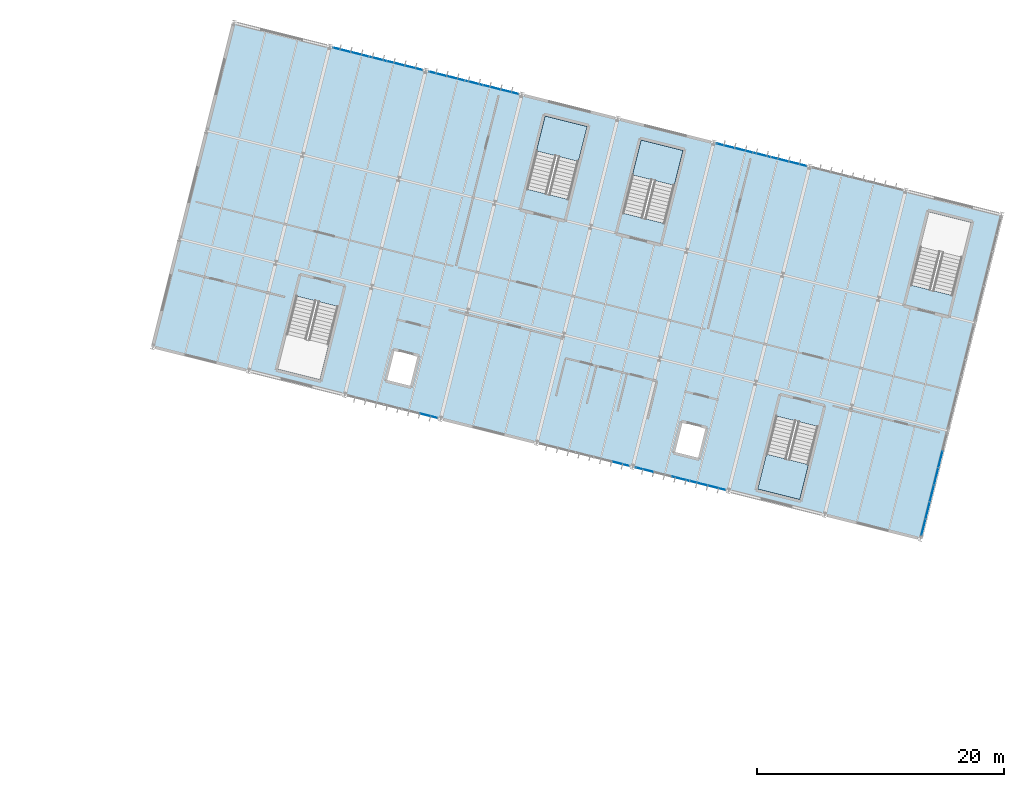
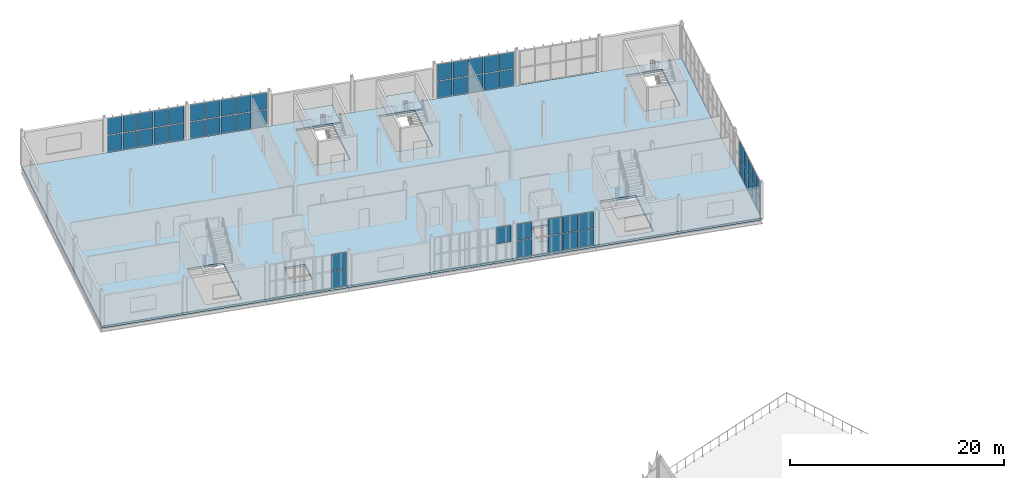
# One storey, part 42 of 61: 51 plates, 4 slabs, 10 elements without a shape of their own.
"""IFC4 building model written with IfcOpenShell, lengths in metres."""

from ifc_helpers import new_model, si_unit, derived_unit, direction, frame, origin, origin_2d, place, context, subcontext, project, spatial, polyline, rectangle, outline, extrude, material, layer, layer_set, type_object, element, aggregate, save


model = new_model("IFC4")

# Units and contexts
model_context = context("Model", 3, precision=1e-05, world=origin(), true_north=direction((0.0, 1.0)))
body_context = subcontext(model_context, "Body", "Model", "MODEL_VIEW")
ifc_project = project(units=[si_unit("LENGTHUNIT", "METRE"), si_unit("AREAUNIT", "SQUARE_METRE"), si_unit("VOLUMEUNIT", "CUBIC_METRE"), si_unit("PLANEANGLEUNIT", "RADIAN"), si_unit("MASSUNIT", "GRAM", prefix="KILO"), si_unit("THERMODYNAMICTEMPERATUREUNIT", "KELVIN"), si_unit("TIMEUNIT", "SECOND"), derived_unit("THERMALTRANSMITTANCEUNIT", [(si_unit("MASSUNIT", "GRAM", prefix="KILO"), 1), (si_unit("THERMODYNAMICTEMPERATUREUNIT", "KELVIN"), -1), (si_unit("TIMEUNIT", "SECOND"), -3)])], contexts=[model_context])

# Site, building, storey
site_placement = place(None, origin())
site = spatial("IfcSite", under=ifc_project, at=site_placement, CompositionType="ELEMENT")
building_placement = place(site_placement, origin())
building = spatial("IfcBuilding", under=site, at=building_placement, Name="Cambertide Market Hall", CompositionType="ELEMENT")
storey_placement = place(building_placement, frame((0.0, 0.0, 9.89990234375)))
storey = spatial("IfcBuildingStorey", under=building, at=storey_placement, Name="L03", CompositionType="ELEMENT", Elevation=9.89990234375)

# Stair, slab
ifc_material_1 = material(Name="Concrete B35", Category="concrete")
stair_type_1 = type_object("IfcStairType", Name="Concrete Dogleg Stair ST-07B", PredefinedType="HALF_TURN_STAIR", material=ifc_material_1)
stair_1_placement = place(storey_placement, origin())
stair_1 = element("IfcStair", 1, at=stair_1_placement, inside=storey, type_object=stair_type_1, Name="Level 3 Exit Stair Core 07B", PredefinedType="HALF_TURN_STAIR")
ifc_material_2 = material(Name="Concrete B35", Category="concrete")
ifc_layer_1 = layer(ifc_material_2, 0.199951171875, Name="Concrete Stair Half-Landing 200")
ifc_layer_set_1 = layer_set([ifc_layer_1], Name="Concrete B35")
slab_type_1 = type_object("IfcSlabType", Name="Concrete Stair Half-Landing 200", PredefinedType="LANDING", material=ifc_layer_set_1)
slab_1_placement = place(storey_placement, frame((0.0, 0.0, 1.900146484375)))
slab_1 = element("IfcSlab", 2, at=slab_1_placement, type_object=slab_type_1, Name="ST-07B landing 1", PredefinedType="LANDING", context=body_context, shape_type="SweptSolid", body=[
    extrude(outline(polyline([(142.412353515625, 114.9873046875), (143.119140625, 117.814208984375), (139.7236328125, 118.6630859375), (139.016845703125, 115.836181640625), (142.412353515625, 114.9873046875)])), origin(), (0.0, 0.0, 1.0), 0.199951171875),
])
aggregate(stair_1, [slab_1])

ifc_material_3 = material(Name="Concrete B35", Category="concrete")
stair_type_2 = type_object("IfcStairType", Name="Concrete Dogleg Stair ST-08A", PredefinedType="HALF_TURN_STAIR", material=ifc_material_3)
stair_2_placement = place(storey_placement, origin())
stair_2 = element("IfcStair", 3, at=stair_2_placement, inside=storey, type_object=stair_type_2, Name="Level 3 Exit Stair Core 08A", PredefinedType="HALF_TURN_STAIR")
slab_2_placement = place(storey_placement, frame((0.0, 0.0, 1.900146484375)))
slab_2 = element("IfcSlab", 4, at=slab_2_placement, type_object=slab_type_1, Name="ST-08A landing 1", PredefinedType="LANDING", context=body_context, shape_type="SweptSolid", body=[
    extrude(outline(polyline([(157.626220703125, 91.318603515625), (156.91943359375, 88.49169921875), (160.31494140625, 87.642822265625), (161.021728515625, 90.4697265625), (157.626220703125, 91.318603515625)])), origin(), (0.0, 0.0, 1.0), 0.199951171875),
])
aggregate(stair_2, [slab_2])

ifc_material_4 = material(Name="Concrete B35", Category="concrete")
stair_type_3 = type_object("IfcStairType", Name="Concrete Dogleg Stair ST-09", PredefinedType="HALF_TURN_STAIR", material=ifc_material_4)
stair_3_placement = place(storey_placement, origin())
stair_3 = element("IfcStair", 5, at=stair_3_placement, inside=storey, type_object=stair_type_3, Name="Level 3 Exit Stair Core 09", PredefinedType="HALF_TURN_STAIR")
slab_3_placement = place(storey_placement, frame((0.0, 0.0, 1.900146484375)))
slab_3 = element("IfcSlab", 6, at=slab_3_placement, type_object=slab_type_1, Name="ST-09 landing 1", PredefinedType="LANDING", context=body_context, shape_type="SweptSolid", body=[
    extrude(outline(polyline([(150.173583984375, 113.046875), (150.88037109375, 115.8740234375), (147.48486328125, 116.722900390625), (146.778076171875, 113.895751953125), (150.173583984375, 113.046875)])), origin(), (0.0, 0.0, 1.0), 0.199951171875),
])
aggregate(stair_3, [slab_3])

# Slab
ifc_material_5 = material(Name="Concrete B30", Category="concrete")
ifc_layer_2 = layer(ifc_material_5, 0.2451171875, Name="Culinary Classroom Slab 245")
ifc_layer_set_2 = layer_set([ifc_layer_2], Name="Concrete B30")
slab_type_2 = type_object("IfcSlabType", Name="Culinary Classroom Slab 245", PredefinedType="FLOOR", material=ifc_layer_set_2)
slab_4_placement = place(storey_placement, frame((0.0, 0.0, -0.244873046875)))
element("IfcSlab", 7, at=slab_4_placement, inside=storey, type_object=slab_type_2, Name="Level 3 Slab SLB-L03-V4", PredefinedType="FLOOR", context=body_context, shape_type="SweptSolid", body=[
    extrude(outline(polyline([(108.0, 100.0), (170.089111328125, 84.477783203125), (176.6376953125, 110.671630859375), (114.548583984375, 126.19384765625), (108.0, 100.0)]), holes=[polyline([(122.98779296875, 103.25830078125), (121.50927734375, 97.34423828125), (118.11376953125, 98.193115234375), (119.59228515625, 104.107177734375), (122.98779296875, 103.25830078125)]), polyline([(138.2451171875, 112.7490234375), (139.7236328125, 118.6630859375), (143.119140625, 117.814208984375), (141.640625, 111.900146484375), (138.2451171875, 112.7490234375)]), polyline([(161.79345703125, 93.556884765625), (160.31494140625, 87.642822265625), (156.91943359375, 88.49169921875), (158.39794921875, 94.40576171875), (161.79345703125, 93.556884765625)]), polyline([(169.289794921875, 104.988037109375), (170.768310546875, 110.90185546875), (174.163818359375, 110.05322265625), (172.685302734375, 104.13916015625), (169.289794921875, 104.988037109375)]), polyline([(146.00634765625, 110.808837890625), (147.48486328125, 116.722900390625), (150.88037109375, 115.8740234375), (149.40185546875, 109.9599609375), (146.00634765625, 110.808837890625)]), polyline([(127.511962890625, 99.708984375), (129.452392578125, 99.223876953125), (128.845947265625, 96.798583984375), (126.90576171875, 97.28369140625), (127.511962890625, 99.708984375)]), polyline([(150.79541015625, 93.88818359375), (152.735595703125, 93.403076171875), (152.12939453125, 90.977783203125), (150.18896484375, 91.462646484375), (150.79541015625, 93.88818359375)])]), origin(), (0.0, 0.0, 1.0), 0.244873046875),
])

# Curtain wall, plates
ifc_material_6 = material(Name="Marine Anodized Aluminium 6063-T6 AA25", Category="aluminium")
curtain_wall_type = type_object("IfcCurtainWallType", Name="Cooking School Classroom Curtain Wall", PredefinedType="USERDEFINED", material=ifc_material_6)
curtain_wall_1_placement = place(storey_placement, origin())
curtain_wall_1 = element("IfcCurtainWall", 8, at=curtain_wall_1_placement, inside=storey, type_object=curtain_wall_type, Name="Level 3 Curtain Wall CW-V4N-L03-2", ObjectType="UNITIZED CURTAIN WALL", PredefinedType="USERDEFINED")
ifc_material_7 = material(Name="Low-E Laminated Insulated Glass", Category="glass")
ifc_layer_3 = layer(ifc_material_7, 0.028076171875, Name="Vision Insulated Glazing Panel 28")
ifc_layer_set_3 = layer_set([ifc_layer_3], Name="Low-E Laminated Insulated Glass")
plate_type = type_object("IfcPlateType", Name="Vision Insulated Glazing Panel 28", PredefinedType="CURTAIN_PANEL", material=ifc_layer_set_3)
plate_1_placement = place(storey_placement, frame((123.27197265625, 124.012939453125, 0.0400390625), z_axis=(0.0, 0.0, 1.0), x_axis=(0.970142500145, -0.242535625038, 0.0)))
plate_1 = element("IfcPlate", 9, at=plate_1_placement, type_object=plate_type, Name="CW-V4N-L03-2 Glazing Panel 1-1", PredefinedType="CURTAIN_PANEL", context=body_context, shape_type="SweptSolid", body=[
    extrude(rectangle(XDim=1.424072265625, YDim=0.028076171875, at=origin_2d()), origin(), (0.0, 0.0, 1.0), 1.8798828125),
])
plate_2_placement = place(storey_placement, frame((124.73095703125, 123.648193359375, 0.0400390625), z_axis=(0.0, 0.0, 1.0), x_axis=(0.970142500145, -0.242535625038, 0.0)))
plate_2 = element("IfcPlate", 10, at=plate_2_placement, type_object=plate_type, Name="CW-V4N-L03-2 Glazing Panel 1-2", PredefinedType="CURTAIN_PANEL", context=body_context, shape_type="SweptSolid", body=[
    extrude(rectangle(XDim=1.424072265625, YDim=0.028076171875, at=origin_2d()), origin(), (0.0, 0.0, 1.0), 1.8798828125),
])
plate_3_placement = place(storey_placement, frame((126.190185546875, 123.283447265625, 0.0400390625), z_axis=(0.0, 0.0, 1.0), x_axis=(0.970142500145, -0.242535625038, 0.0)))
plate_3 = element("IfcPlate", 11, at=plate_3_placement, type_object=plate_type, Name="CW-V4N-L03-2 Glazing Panel 1-3", PredefinedType="CURTAIN_PANEL", context=body_context, shape_type="SweptSolid", body=[
    extrude(rectangle(XDim=1.424072265625, YDim=0.028076171875, at=origin_2d()), origin(), (0.0, 0.0, 1.0), 1.8798828125),
])
plate_4_placement = place(storey_placement, frame((127.649169921875, 122.918701171875, 0.0400390625), z_axis=(0.0, 0.0, 1.0), x_axis=(0.970142500145, -0.242535625038, 0.0)))
plate_4 = element("IfcPlate", 12, at=plate_4_placement, type_object=plate_type, Name="CW-V4N-L03-2 Glazing Panel 1-4", PredefinedType="CURTAIN_PANEL", context=body_context, shape_type="SweptSolid", body=[
    extrude(rectangle(XDim=1.424072265625, YDim=0.028076171875, at=origin_2d()), origin(), (0.0, 0.0, 1.0), 1.8798828125),
])
plate_5_placement = place(storey_placement, frame((129.1083984375, 122.553955078125, 0.0400390625), z_axis=(0.0, 0.0, 1.0), x_axis=(0.970142500145, -0.242535625038, 0.0)))
plate_5 = element("IfcPlate", 13, at=plate_5_placement, type_object=plate_type, Name="CW-V4N-L03-2 Glazing Panel 1-5", PredefinedType="CURTAIN_PANEL", context=body_context, shape_type="SweptSolid", body=[
    extrude(rectangle(XDim=1.424072265625, YDim=0.028076171875, at=origin_2d()), origin(), (0.0, 0.0, 1.0), 1.8798828125),
])
plate_6_placement = place(storey_placement, frame((123.27197265625, 124.012939453125, 2.000244140625), z_axis=(0.0, 0.0, 1.0), x_axis=(0.970142500145, -0.242535625038, 0.0)))
plate_6 = element("IfcPlate", 14, at=plate_6_placement, type_object=plate_type, Name="CW-V4N-L03-2 Glazing Panel 2-1", PredefinedType="CURTAIN_PANEL", context=body_context, shape_type="SweptSolid", body=[
    extrude(rectangle(XDim=1.424072265625, YDim=0.028076171875, at=origin_2d()), origin(), (0.0, 0.0, 1.0), 1.8798828125),
])
plate_7_placement = place(storey_placement, frame((124.73095703125, 123.648193359375, 2.000244140625), z_axis=(0.0, 0.0, 1.0), x_axis=(0.970142500145, -0.242535625038, 0.0)))
plate_7 = element("IfcPlate", 15, at=plate_7_placement, type_object=plate_type, Name="CW-V4N-L03-2 Glazing Panel 2-2", PredefinedType="CURTAIN_PANEL", context=body_context, shape_type="SweptSolid", body=[
    extrude(rectangle(XDim=1.424072265625, YDim=0.028076171875, at=origin_2d()), origin(), (0.0, 0.0, 1.0), 1.8798828125),
])
plate_8_placement = place(storey_placement, frame((126.190185546875, 123.283447265625, 2.000244140625), z_axis=(0.0, 0.0, 1.0), x_axis=(0.970142500145, -0.242535625038, 0.0)))
plate_8 = element("IfcPlate", 16, at=plate_8_placement, type_object=plate_type, Name="CW-V4N-L03-2 Glazing Panel 2-3", PredefinedType="CURTAIN_PANEL", context=body_context, shape_type="SweptSolid", body=[
    extrude(rectangle(XDim=1.424072265625, YDim=0.028076171875, at=origin_2d()), origin(), (0.0, 0.0, 1.0), 1.8798828125),
])
plate_9_placement = place(storey_placement, frame((127.649169921875, 122.918701171875, 2.000244140625), z_axis=(0.0, 0.0, 1.0), x_axis=(0.970142500145, -0.242535625038, 0.0)))
plate_9 = element("IfcPlate", 17, at=plate_9_placement, type_object=plate_type, Name="CW-V4N-L03-2 Glazing Panel 2-4", PredefinedType="CURTAIN_PANEL", context=body_context, shape_type="SweptSolid", body=[
    extrude(rectangle(XDim=1.424072265625, YDim=0.028076171875, at=origin_2d()), origin(), (0.0, 0.0, 1.0), 1.8798828125),
])
plate_10_placement = place(storey_placement, frame((129.1083984375, 122.553955078125, 2.000244140625), z_axis=(0.0, 0.0, 1.0), x_axis=(0.970142500145, -0.242535625038, 0.0)))
plate_10 = element("IfcPlate", 18, at=plate_10_placement, type_object=plate_type, Name="CW-V4N-L03-2 Glazing Panel 2-5", PredefinedType="CURTAIN_PANEL", context=body_context, shape_type="SweptSolid", body=[
    extrude(rectangle(XDim=1.424072265625, YDim=0.028076171875, at=origin_2d()), origin(), (0.0, 0.0, 1.0), 1.8798828125),
])
aggregate(curtain_wall_1, [plate_1, plate_2, plate_3, plate_4, plate_5, plate_6, plate_7, plate_8, plate_9, plate_10])

curtain_wall_2_placement = place(storey_placement, origin())
curtain_wall_2 = element("IfcCurtainWall", 19, at=curtain_wall_2_placement, inside=storey, type_object=curtain_wall_type, Name="Level 3 Curtain Wall CW-V4N-L03-3", ObjectType="UNITIZED CURTAIN WALL", PredefinedType="USERDEFINED")
plate_11_placement = place(storey_placement, frame((131.033203125, 122.07275390625, 0.0400390625), z_axis=(0.0, 0.0, 1.0), x_axis=(0.970142500145, -0.242535625038, 0.0)))
plate_11 = element("IfcPlate", 20, at=plate_11_placement, type_object=plate_type, Name="CW-V4N-L03-3 Glazing Panel 1-1", PredefinedType="CURTAIN_PANEL", context=body_context, shape_type="SweptSolid", body=[
    extrude(rectangle(XDim=1.424072265625, YDim=0.028076171875, at=origin_2d()), origin(), (0.0, 0.0, 1.0), 1.8798828125),
])
plate_12_placement = place(storey_placement, frame((132.4921875, 121.7080078125, 0.0400390625), z_axis=(0.0, 0.0, 1.0), x_axis=(0.970142500145, -0.242535625038, 0.0)))
plate_12 = element("IfcPlate", 21, at=plate_12_placement, type_object=plate_type, Name="CW-V4N-L03-3 Glazing Panel 1-2", PredefinedType="CURTAIN_PANEL", context=body_context, shape_type="SweptSolid", body=[
    extrude(rectangle(XDim=1.424072265625, YDim=0.028076171875, at=origin_2d()), origin(), (0.0, 0.0, 1.0), 1.8798828125),
])
plate_13_placement = place(storey_placement, frame((133.951416015625, 121.343017578125, 0.0400390625), z_axis=(0.0, 0.0, 1.0), x_axis=(0.970142500145, -0.242535625038, 0.0)))
plate_13 = element("IfcPlate", 22, at=plate_13_placement, type_object=plate_type, Name="CW-V4N-L03-3 Glazing Panel 1-3", PredefinedType="CURTAIN_PANEL", context=body_context, shape_type="SweptSolid", body=[
    extrude(rectangle(XDim=1.424072265625, YDim=0.028076171875, at=origin_2d()), origin(), (0.0, 0.0, 1.0), 1.8798828125),
])
plate_14_placement = place(storey_placement, frame((135.410400390625, 120.978271484375, 0.0400390625), z_axis=(0.0, 0.0, 1.0), x_axis=(0.970142500145, -0.242535625038, 0.0)))
plate_14 = element("IfcPlate", 23, at=plate_14_placement, type_object=plate_type, Name="CW-V4N-L03-3 Glazing Panel 1-4", PredefinedType="CURTAIN_PANEL", context=body_context, shape_type="SweptSolid", body=[
    extrude(rectangle(XDim=1.424072265625, YDim=0.028076171875, at=origin_2d()), origin(), (0.0, 0.0, 1.0), 1.8798828125),
])
plate_15_placement = place(storey_placement, frame((136.869384765625, 120.613525390625, 0.0400390625), z_axis=(0.0, 0.0, 1.0), x_axis=(0.970142500145, -0.242535625038, 0.0)))
plate_15 = element("IfcPlate", 24, at=plate_15_placement, type_object=plate_type, Name="CW-V4N-L03-3 Glazing Panel 1-5", PredefinedType="CURTAIN_PANEL", context=body_context, shape_type="SweptSolid", body=[
    extrude(rectangle(XDim=1.424072265625, YDim=0.028076171875, at=origin_2d()), origin(), (0.0, 0.0, 1.0), 1.8798828125),
])
plate_16_placement = place(storey_placement, frame((131.033203125, 122.07275390625, 2.000244140625), z_axis=(0.0, 0.0, 1.0), x_axis=(0.970142500145, -0.242535625038, 0.0)))
plate_16 = element("IfcPlate", 25, at=plate_16_placement, type_object=plate_type, Name="CW-V4N-L03-3 Glazing Panel 2-1", PredefinedType="CURTAIN_PANEL", context=body_context, shape_type="SweptSolid", body=[
    extrude(rectangle(XDim=1.424072265625, YDim=0.028076171875, at=origin_2d()), origin(), (0.0, 0.0, 1.0), 1.8798828125),
])
plate_17_placement = place(storey_placement, frame((132.4921875, 121.7080078125, 2.000244140625), z_axis=(0.0, 0.0, 1.0), x_axis=(0.970142500145, -0.242535625038, 0.0)))
plate_17 = element("IfcPlate", 26, at=plate_17_placement, type_object=plate_type, Name="CW-V4N-L03-3 Glazing Panel 2-2", PredefinedType="CURTAIN_PANEL", context=body_context, shape_type="SweptSolid", body=[
    extrude(rectangle(XDim=1.424072265625, YDim=0.028076171875, at=origin_2d()), origin(), (0.0, 0.0, 1.0), 1.8798828125),
])
plate_18_placement = place(storey_placement, frame((133.951416015625, 121.343017578125, 2.000244140625), z_axis=(0.0, 0.0, 1.0), x_axis=(0.970142500145, -0.242535625038, 0.0)))
plate_18 = element("IfcPlate", 27, at=plate_18_placement, type_object=plate_type, Name="CW-V4N-L03-3 Glazing Panel 2-3", PredefinedType="CURTAIN_PANEL", context=body_context, shape_type="SweptSolid", body=[
    extrude(rectangle(XDim=1.424072265625, YDim=0.028076171875, at=origin_2d()), origin(), (0.0, 0.0, 1.0), 1.8798828125),
])
plate_19_placement = place(storey_placement, frame((135.410400390625, 120.978271484375, 2.000244140625), z_axis=(0.0, 0.0, 1.0), x_axis=(0.970142500145, -0.242535625038, 0.0)))
plate_19 = element("IfcPlate", 28, at=plate_19_placement, type_object=plate_type, Name="CW-V4N-L03-3 Glazing Panel 2-4", PredefinedType="CURTAIN_PANEL", context=body_context, shape_type="SweptSolid", body=[
    extrude(rectangle(XDim=1.424072265625, YDim=0.028076171875, at=origin_2d()), origin(), (0.0, 0.0, 1.0), 1.8798828125),
])
plate_20_placement = place(storey_placement, frame((136.869384765625, 120.613525390625, 2.000244140625), z_axis=(0.0, 0.0, 1.0), x_axis=(0.970142500145, -0.242535625038, 0.0)))
plate_20 = element("IfcPlate", 29, at=plate_20_placement, type_object=plate_type, Name="CW-V4N-L03-3 Glazing Panel 2-5", PredefinedType="CURTAIN_PANEL", context=body_context, shape_type="SweptSolid", body=[
    extrude(rectangle(XDim=1.424072265625, YDim=0.028076171875, at=origin_2d()), origin(), (0.0, 0.0, 1.0), 1.8798828125),
])
aggregate(curtain_wall_2, [plate_11, plate_12, plate_13, plate_14, plate_15, plate_16, plate_17, plate_18, plate_19, plate_20])

curtain_wall_3_placement = place(storey_placement, origin())
curtain_wall_3 = element("IfcCurtainWall", 30, at=curtain_wall_3_placement, inside=storey, type_object=curtain_wall_type, Name="Level 3 Curtain Wall CW-V4S-L03-3", ObjectType="UNITIZED CURTAIN WALL", PredefinedType="USERDEFINED")
plate_21_placement = place(storey_placement, frame((130.321044921875, 94.419677734375, 0.0400390625), z_axis=(0.0, 0.0, 1.0), x_axis=(-0.970142531436, 0.242535499875, 0.0)))
plate_21 = element("IfcPlate", 31, at=plate_21_placement, type_object=plate_type, Name="CW-V4S-L03-3 Glazing Panel 1-1", PredefinedType="CURTAIN_PANEL", context=body_context, shape_type="SweptSolid", body=[
    extrude(rectangle(XDim=1.424072265625, YDim=0.028076171875, at=origin_2d()), origin(), (0.0, 0.0, 1.0), 1.8798828125),
])
plate_22_placement = place(storey_placement, frame((130.321044921875, 94.419677734375, 2.000244140625), z_axis=(0.0, 0.0, 1.0), x_axis=(-0.970142531436, 0.242535499875, 0.0)))
plate_22 = element("IfcPlate", 32, at=plate_22_placement, type_object=plate_type, Name="CW-V4S-L03-3 Glazing Panel 2-1", PredefinedType="CURTAIN_PANEL", context=body_context, shape_type="SweptSolid", body=[
    extrude(rectangle(XDim=1.424072265625, YDim=0.028076171875, at=origin_2d()), origin(), (0.0, 0.0, 1.0), 1.8798828125),
])
aggregate(curtain_wall_3, [plate_21, plate_22])

# Curtain wall, plate
curtain_wall_4_placement = place(storey_placement, origin())
curtain_wall_4 = element("IfcCurtainWall", 33, at=curtain_wall_4_placement, inside=storey, type_object=curtain_wall_type, Name="Level 3 Curtain Wall CW-V4S-L03-5", ObjectType="UNITIZED CURTAIN WALL", PredefinedType="USERDEFINED")
plate_23_placement = place(storey_placement, frame((145.84326171875, 90.5390625, 2.000244140625), z_axis=(0.0, 0.0, 1.0), x_axis=(-0.970142531436, 0.242535499875, 0.0)))
plate_23 = element("IfcPlate", 34, at=plate_23_placement, type_object=plate_type, Name="CW-V4S-L03-5 Glazing Panel 2-1", PredefinedType="CURTAIN_PANEL", context=body_context, shape_type="SweptSolid", body=[
    extrude(rectangle(XDim=1.424072265625, YDim=0.028076171875, at=origin_2d()), origin(), (0.0, 0.0, 1.0), 1.8798828125),
])
aggregate(curtain_wall_4, [plate_23])

# Curtain wall, plates
curtain_wall_5_placement = place(storey_placement, origin())
curtain_wall_5 = element("IfcCurtainWall", 35, at=curtain_wall_5_placement, inside=storey, type_object=curtain_wall_type, Name="Level 3 Curtain Wall CW-V4N-L03-6", ObjectType="UNITIZED CURTAIN WALL", PredefinedType="USERDEFINED")
plate_24_placement = place(storey_placement, frame((154.316650390625, 116.251708984375, 0.0400390625), z_axis=(0.0, 0.0, 1.0), x_axis=(0.970142500145, -0.242535625038, 0.0)))
plate_24 = element("IfcPlate", 36, at=plate_24_placement, type_object=plate_type, Name="CW-V4N-L03-6 Glazing Panel 1-1", PredefinedType="CURTAIN_PANEL", context=body_context, shape_type="SweptSolid", body=[
    extrude(rectangle(XDim=1.424072265625, YDim=0.028076171875, at=origin_2d()), origin(), (0.0, 0.0, 1.0), 1.8798828125),
])
plate_25_placement = place(storey_placement, frame((155.775634765625, 115.886962890625, 0.0400390625), z_axis=(0.0, 0.0, 1.0), x_axis=(0.970142500145, -0.242535625038, 0.0)))
plate_25 = element("IfcPlate", 37, at=plate_25_placement, type_object=plate_type, Name="CW-V4N-L03-6 Glazing Panel 1-2", PredefinedType="CURTAIN_PANEL", context=body_context, shape_type="SweptSolid", body=[
    extrude(rectangle(XDim=1.424072265625, YDim=0.028076171875, at=origin_2d()), origin(), (0.0, 0.0, 1.0), 1.8798828125),
])
plate_26_placement = place(storey_placement, frame((157.234619140625, 115.522216796875, 0.0400390625), z_axis=(0.0, 0.0, 1.0), x_axis=(0.970142500145, -0.242535625038, 0.0)))
plate_26 = element("IfcPlate", 38, at=plate_26_placement, type_object=plate_type, Name="CW-V4N-L03-6 Glazing Panel 1-3", PredefinedType="CURTAIN_PANEL", context=body_context, shape_type="SweptSolid", body=[
    extrude(rectangle(XDim=1.424072265625, YDim=0.028076171875, at=origin_2d()), origin(), (0.0, 0.0, 1.0), 1.8798828125),
])
plate_27_placement = place(storey_placement, frame((158.69384765625, 115.157470703125, 0.0400390625), z_axis=(0.0, 0.0, 1.0), x_axis=(0.970142500145, -0.242535625038, 0.0)))
plate_27 = element("IfcPlate", 39, at=plate_27_placement, type_object=plate_type, Name="CW-V4N-L03-6 Glazing Panel 1-4", PredefinedType="CURTAIN_PANEL", context=body_context, shape_type="SweptSolid", body=[
    extrude(rectangle(XDim=1.424072265625, YDim=0.028076171875, at=origin_2d()), origin(), (0.0, 0.0, 1.0), 1.8798828125),
])
plate_28_placement = place(storey_placement, frame((160.15283203125, 114.792724609375, 0.0400390625), z_axis=(0.0, 0.0, 1.0), x_axis=(0.970142500145, -0.242535625038, 0.0)))
plate_28 = element("IfcPlate", 40, at=plate_28_placement, type_object=plate_type, Name="CW-V4N-L03-6 Glazing Panel 1-5", PredefinedType="CURTAIN_PANEL", context=body_context, shape_type="SweptSolid", body=[
    extrude(rectangle(XDim=1.424072265625, YDim=0.028076171875, at=origin_2d()), origin(), (0.0, 0.0, 1.0), 1.8798828125),
])
plate_29_placement = place(storey_placement, frame((154.316650390625, 116.251708984375, 2.000244140625), z_axis=(0.0, 0.0, 1.0), x_axis=(0.970142500145, -0.242535625038, 0.0)))
plate_29 = element("IfcPlate", 41, at=plate_29_placement, type_object=plate_type, Name="CW-V4N-L03-6 Glazing Panel 2-1", PredefinedType="CURTAIN_PANEL", context=body_context, shape_type="SweptSolid", body=[
    extrude(rectangle(XDim=1.424072265625, YDim=0.028076171875, at=origin_2d()), origin(), (0.0, 0.0, 1.0), 1.8798828125),
])
plate_30_placement = place(storey_placement, frame((155.775634765625, 115.886962890625, 2.000244140625), z_axis=(0.0, 0.0, 1.0), x_axis=(0.970142500145, -0.242535625038, 0.0)))
plate_30 = element("IfcPlate", 42, at=plate_30_placement, type_object=plate_type, Name="CW-V4N-L03-6 Glazing Panel 2-2", PredefinedType="CURTAIN_PANEL", context=body_context, shape_type="SweptSolid", body=[
    extrude(rectangle(XDim=1.424072265625, YDim=0.028076171875, at=origin_2d()), origin(), (0.0, 0.0, 1.0), 1.8798828125),
])
plate_31_placement = place(storey_placement, frame((157.234619140625, 115.522216796875, 2.000244140625), z_axis=(0.0, 0.0, 1.0), x_axis=(0.970142500145, -0.242535625038, 0.0)))
plate_31 = element("IfcPlate", 43, at=plate_31_placement, type_object=plate_type, Name="CW-V4N-L03-6 Glazing Panel 2-3", PredefinedType="CURTAIN_PANEL", context=body_context, shape_type="SweptSolid", body=[
    extrude(rectangle(XDim=1.424072265625, YDim=0.028076171875, at=origin_2d()), origin(), (0.0, 0.0, 1.0), 1.8798828125),
])
plate_32_placement = place(storey_placement, frame((158.69384765625, 115.157470703125, 2.000244140625), z_axis=(0.0, 0.0, 1.0), x_axis=(0.970142500145, -0.242535625038, 0.0)))
plate_32 = element("IfcPlate", 44, at=plate_32_placement, type_object=plate_type, Name="CW-V4N-L03-6 Glazing Panel 2-4", PredefinedType="CURTAIN_PANEL", context=body_context, shape_type="SweptSolid", body=[
    extrude(rectangle(XDim=1.424072265625, YDim=0.028076171875, at=origin_2d()), origin(), (0.0, 0.0, 1.0), 1.8798828125),
])
plate_33_placement = place(storey_placement, frame((160.15283203125, 114.792724609375, 2.000244140625), z_axis=(0.0, 0.0, 1.0), x_axis=(0.970142500145, -0.242535625038, 0.0)))
plate_33 = element("IfcPlate", 45, at=plate_33_placement, type_object=plate_type, Name="CW-V4N-L03-6 Glazing Panel 2-5", PredefinedType="CURTAIN_PANEL", context=body_context, shape_type="SweptSolid", body=[
    extrude(rectangle(XDim=1.424072265625, YDim=0.028076171875, at=origin_2d()), origin(), (0.0, 0.0, 1.0), 1.8798828125),
])
aggregate(curtain_wall_5, [plate_24, plate_25, plate_26, plate_27, plate_28, plate_29, plate_30, plate_31, plate_32, plate_33])

curtain_wall_6_placement = place(storey_placement, origin())
curtain_wall_6 = element("IfcCurtainWall", 46, at=curtain_wall_6_placement, inside=storey, type_object=curtain_wall_type, Name="Level 3 Curtain Wall CW-V4S-L03-6", ObjectType="UNITIZED CURTAIN WALL", PredefinedType="USERDEFINED")
plate_34_placement = place(storey_placement, frame((153.6044921875, 88.598876953125, 0.0400390625), z_axis=(0.0, 0.0, 1.0), x_axis=(-0.970142531436, 0.242535499875, 0.0)))
plate_34 = element("IfcPlate", 47, at=plate_34_placement, type_object=plate_type, Name="CW-V4S-L03-6 Glazing Panel 1-1", PredefinedType="CURTAIN_PANEL", context=body_context, shape_type="SweptSolid", body=[
    extrude(rectangle(XDim=1.424072265625, YDim=0.028076171875, at=origin_2d()), origin(), (0.0, 0.0, 1.0), 1.8798828125),
])
plate_35_placement = place(storey_placement, frame((152.145263671875, 88.963623046875, 0.0400390625), z_axis=(0.0, 0.0, 1.0), x_axis=(-0.970142531436, 0.242535499875, 0.0)))
plate_35 = element("IfcPlate", 48, at=plate_35_placement, type_object=plate_type, Name="CW-V4S-L03-6 Glazing Panel 1-2", PredefinedType="CURTAIN_PANEL", context=body_context, shape_type="SweptSolid", body=[
    extrude(rectangle(XDim=1.424072265625, YDim=0.028076171875, at=origin_2d()), origin(), (0.0, 0.0, 1.0), 1.8798828125),
])
plate_36_placement = place(storey_placement, frame((150.686279296875, 89.328369140625, 0.0400390625), z_axis=(0.0, 0.0, 1.0), x_axis=(-0.970142531436, 0.242535499875, 0.0)))
plate_36 = element("IfcPlate", 49, at=plate_36_placement, type_object=plate_type, Name="CW-V4S-L03-6 Glazing Panel 1-3", PredefinedType="CURTAIN_PANEL", context=body_context, shape_type="SweptSolid", body=[
    extrude(rectangle(XDim=1.424072265625, YDim=0.028076171875, at=origin_2d()), origin(), (0.0, 0.0, 1.0), 1.8798828125),
])
plate_37_placement = place(storey_placement, frame((147.76806640625, 90.057861328125, 0.0400390625), z_axis=(0.0, 0.0, 1.0), x_axis=(-0.970142531436, 0.242535499875, 0.0)))
plate_37 = element("IfcPlate", 50, at=plate_37_placement, type_object=plate_type, Name="CW-V4S-L03-6 Glazing Panel 1-5", PredefinedType="CURTAIN_PANEL", context=body_context, shape_type="SweptSolid", body=[
    extrude(rectangle(XDim=1.424072265625, YDim=0.028076171875, at=origin_2d()), origin(), (0.0, 0.0, 1.0), 1.8798828125),
])
plate_38_placement = place(storey_placement, frame((153.6044921875, 88.598876953125, 2.000244140625), z_axis=(0.0, 0.0, 1.0), x_axis=(-0.970142531436, 0.242535499875, 0.0)))
plate_38 = element("IfcPlate", 51, at=plate_38_placement, type_object=plate_type, Name="CW-V4S-L03-6 Glazing Panel 2-1", PredefinedType="CURTAIN_PANEL", context=body_context, shape_type="SweptSolid", body=[
    extrude(rectangle(XDim=1.424072265625, YDim=0.028076171875, at=origin_2d()), origin(), (0.0, 0.0, 1.0), 1.8798828125),
])
plate_39_placement = place(storey_placement, frame((152.145263671875, 88.963623046875, 2.000244140625), z_axis=(0.0, 0.0, 1.0), x_axis=(-0.970142531436, 0.242535499875, 0.0)))
plate_39 = element("IfcPlate", 52, at=plate_39_placement, type_object=plate_type, Name="CW-V4S-L03-6 Glazing Panel 2-2", PredefinedType="CURTAIN_PANEL", context=body_context, shape_type="SweptSolid", body=[
    extrude(rectangle(XDim=1.424072265625, YDim=0.028076171875, at=origin_2d()), origin(), (0.0, 0.0, 1.0), 1.8798828125),
])
plate_40_placement = place(storey_placement, frame((150.686279296875, 89.328369140625, 2.000244140625), z_axis=(0.0, 0.0, 1.0), x_axis=(-0.970142531436, 0.242535499875, 0.0)))
plate_40 = element("IfcPlate", 53, at=plate_40_placement, type_object=plate_type, Name="CW-V4S-L03-6 Glazing Panel 2-3", PredefinedType="CURTAIN_PANEL", context=body_context, shape_type="SweptSolid", body=[
    extrude(rectangle(XDim=1.424072265625, YDim=0.028076171875, at=origin_2d()), origin(), (0.0, 0.0, 1.0), 1.8798828125),
])
plate_41_placement = place(storey_placement, frame((147.76806640625, 90.057861328125, 2.000244140625), z_axis=(0.0, 0.0, 1.0), x_axis=(-0.970142531436, 0.242535499875, 0.0)))
plate_41 = element("IfcPlate", 54, at=plate_41_placement, type_object=plate_type, Name="CW-V4S-L03-6 Glazing Panel 2-5", PredefinedType="CURTAIN_PANEL", context=body_context, shape_type="SweptSolid", body=[
    extrude(rectangle(XDim=1.424072265625, YDim=0.028076171875, at=origin_2d()), origin(), (0.0, 0.0, 1.0), 1.8798828125),
])
aggregate(curtain_wall_6, [plate_34, plate_35, plate_36, plate_37, plate_38, plate_39, plate_40, plate_41])

curtain_wall_7_placement = place(storey_placement, origin())
curtain_wall_7 = element("IfcCurtainWall", 55, at=curtain_wall_7_placement, inside=storey, type_object=curtain_wall_type, Name="Level 3 Curtain Wall CW-V4E-L03-1", ObjectType="UNITIZED CURTAIN WALL", PredefinedType="USERDEFINED")
plate_42_placement = place(storey_placement, frame((171.697021484375, 90.90966796875, 0.0400390625), z_axis=(0.0, 0.0, 1.0), x_axis=(-0.242535569805, -0.970142513953, 0.0)))
plate_42 = element("IfcPlate", 56, at=plate_42_placement, type_object=plate_type, Name="CW-V4E-L03-1 Glazing Panel 1-2", PredefinedType="CURTAIN_PANEL", context=body_context, shape_type="SweptSolid", body=[
    extrude(rectangle(XDim=1.340087890625, YDim=0.028076171875, at=origin_2d()), origin(), (0.0, 0.0, 1.0), 1.8798828125),
])
plate_43_placement = place(storey_placement, frame((171.352783203125, 89.5322265625, 0.0400390625), z_axis=(0.0, 0.0, 1.0), x_axis=(-0.242535569805, -0.970142513953, 0.0)))
plate_43 = element("IfcPlate", 57, at=plate_43_placement, type_object=plate_type, Name="CW-V4E-L03-1 Glazing Panel 1-3", PredefinedType="CURTAIN_PANEL", context=body_context, shape_type="SweptSolid", body=[
    extrude(rectangle(XDim=1.340087890625, YDim=0.028076171875, at=origin_2d()), origin(), (0.0, 0.0, 1.0), 1.8798828125),
])
plate_44_placement = place(storey_placement, frame((171.00830078125, 88.154541015625, 0.0400390625), z_axis=(0.0, 0.0, 1.0), x_axis=(-0.242535569805, -0.970142513953, 0.0)))
plate_44 = element("IfcPlate", 58, at=plate_44_placement, type_object=plate_type, Name="CW-V4E-L03-1 Glazing Panel 1-4", PredefinedType="CURTAIN_PANEL", context=body_context, shape_type="SweptSolid", body=[
    extrude(rectangle(XDim=1.340087890625, YDim=0.028076171875, at=origin_2d()), origin(), (0.0, 0.0, 1.0), 1.8798828125),
])
plate_45_placement = place(storey_placement, frame((170.663818359375, 86.77685546875, 0.0400390625), z_axis=(0.0, 0.0, 1.0), x_axis=(-0.242535569805, -0.970142513953, 0.0)))
plate_45 = element("IfcPlate", 59, at=plate_45_placement, type_object=plate_type, Name="CW-V4E-L03-1 Glazing Panel 1-5", PredefinedType="CURTAIN_PANEL", context=body_context, shape_type="SweptSolid", body=[
    extrude(rectangle(XDim=1.340087890625, YDim=0.028076171875, at=origin_2d()), origin(), (0.0, 0.0, 1.0), 1.8798828125),
])
plate_46_placement = place(storey_placement, frame((170.319580078125, 85.3994140625, 0.0400390625), z_axis=(0.0, 0.0, 1.0), x_axis=(-0.242535569805, -0.970142513953, 0.0)))
plate_46 = element("IfcPlate", 60, at=plate_46_placement, type_object=plate_type, Name="CW-V4E-L03-1 Glazing Panel 1-6", PredefinedType="CURTAIN_PANEL", context=body_context, shape_type="SweptSolid", body=[
    extrude(rectangle(XDim=1.340087890625, YDim=0.028076171875, at=origin_2d()), origin(), (0.0, 0.0, 1.0), 1.8798828125),
])
plate_47_placement = place(storey_placement, frame((171.697021484375, 90.90966796875, 2.000244140625), z_axis=(0.0, 0.0, 1.0), x_axis=(-0.242535569805, -0.970142513953, 0.0)))
plate_47 = element("IfcPlate", 61, at=plate_47_placement, type_object=plate_type, Name="CW-V4E-L03-1 Glazing Panel 2-2", PredefinedType="CURTAIN_PANEL", context=body_context, shape_type="SweptSolid", body=[
    extrude(rectangle(XDim=1.340087890625, YDim=0.028076171875, at=origin_2d()), origin(), (0.0, 0.0, 1.0), 1.8798828125),
])
plate_48_placement = place(storey_placement, frame((171.352783203125, 89.5322265625, 2.000244140625), z_axis=(0.0, 0.0, 1.0), x_axis=(-0.242535569805, -0.970142513953, 0.0)))
plate_48 = element("IfcPlate", 62, at=plate_48_placement, type_object=plate_type, Name="CW-V4E-L03-1 Glazing Panel 2-3", PredefinedType="CURTAIN_PANEL", context=body_context, shape_type="SweptSolid", body=[
    extrude(rectangle(XDim=1.340087890625, YDim=0.028076171875, at=origin_2d()), origin(), (0.0, 0.0, 1.0), 1.8798828125),
])
plate_49_placement = place(storey_placement, frame((171.00830078125, 88.154541015625, 2.000244140625), z_axis=(0.0, 0.0, 1.0), x_axis=(-0.242535569805, -0.970142513953, 0.0)))
plate_49 = element("IfcPlate", 63, at=plate_49_placement, type_object=plate_type, Name="CW-V4E-L03-1 Glazing Panel 2-4", PredefinedType="CURTAIN_PANEL", context=body_context, shape_type="SweptSolid", body=[
    extrude(rectangle(XDim=1.340087890625, YDim=0.028076171875, at=origin_2d()), origin(), (0.0, 0.0, 1.0), 1.8798828125),
])
plate_50_placement = place(storey_placement, frame((170.663818359375, 86.77685546875, 2.000244140625), z_axis=(0.0, 0.0, 1.0), x_axis=(-0.242535569805, -0.970142513953, 0.0)))
plate_50 = element("IfcPlate", 64, at=plate_50_placement, type_object=plate_type, Name="CW-V4E-L03-1 Glazing Panel 2-5", PredefinedType="CURTAIN_PANEL", context=body_context, shape_type="SweptSolid", body=[
    extrude(rectangle(XDim=1.340087890625, YDim=0.028076171875, at=origin_2d()), origin(), (0.0, 0.0, 1.0), 1.8798828125),
])
plate_51_placement = place(storey_placement, frame((170.319580078125, 85.3994140625, 2.000244140625), z_axis=(0.0, 0.0, 1.0), x_axis=(-0.242535569805, -0.970142513953, 0.0)))
plate_51 = element("IfcPlate", 65, at=plate_51_placement, type_object=plate_type, Name="CW-V4E-L03-1 Glazing Panel 2-6", PredefinedType="CURTAIN_PANEL", context=body_context, shape_type="SweptSolid", body=[
    extrude(rectangle(XDim=1.340087890625, YDim=0.028076171875, at=origin_2d()), origin(), (0.0, 0.0, 1.0), 1.8798828125),
])
aggregate(curtain_wall_7, [plate_42, plate_43, plate_44, plate_45, plate_46, plate_47, plate_48, plate_49, plate_50, plate_51])

save(model, "model.ifc")
